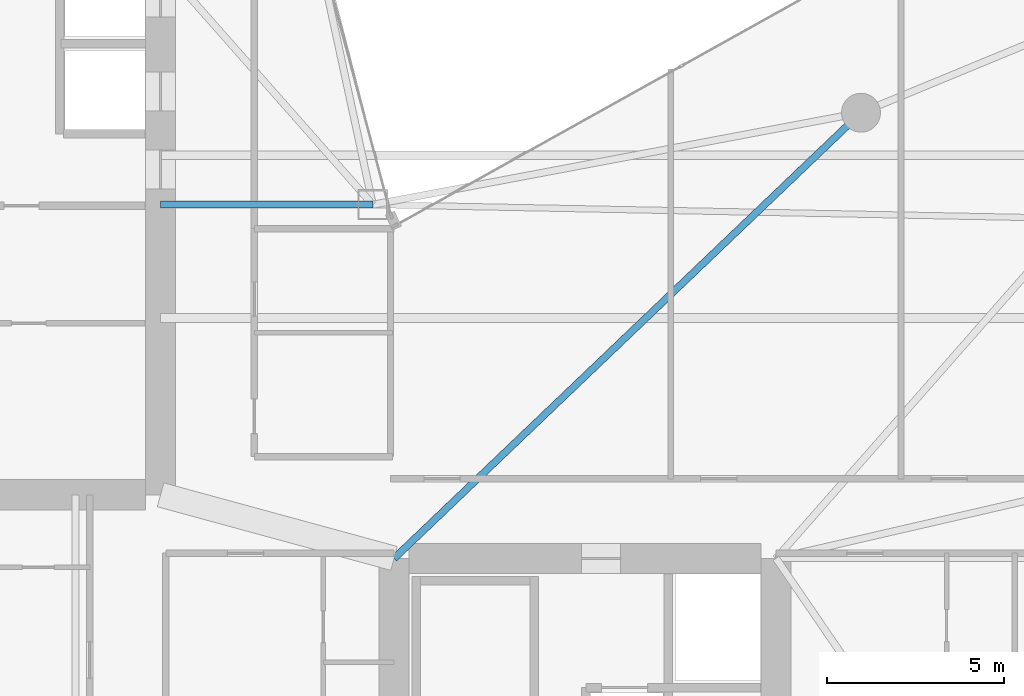
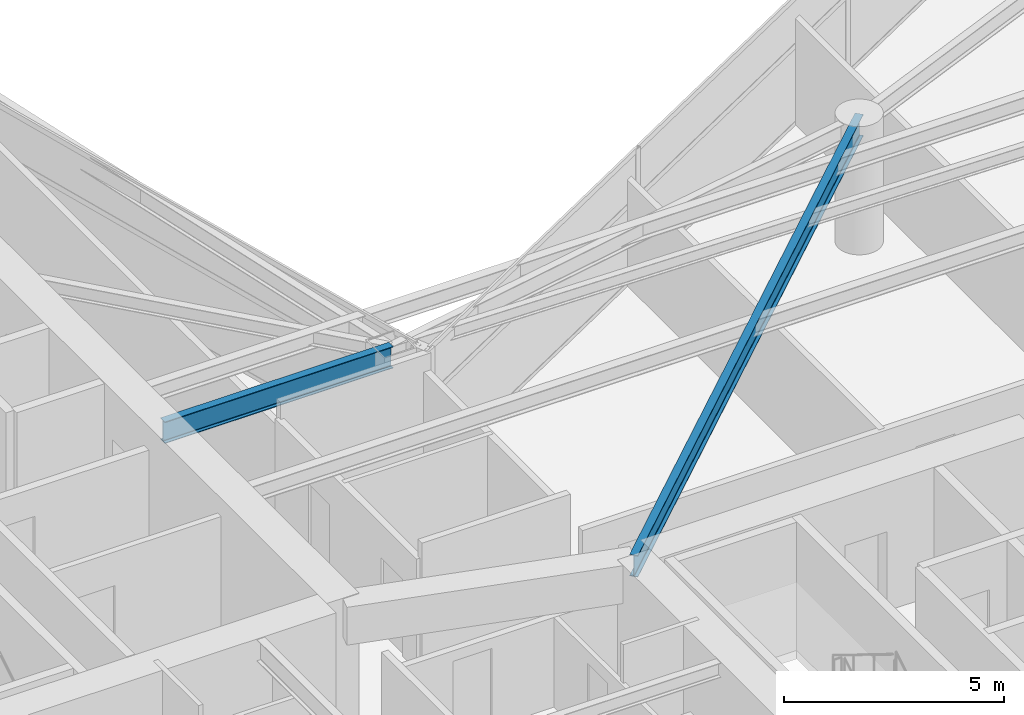
# One storey, part 9 of 28: 2 beams.
"""IFC4 building model written with IfcOpenShell, lengths in metres."""

from ifc_helpers import new_model, si_unit, direction, frame, origin, origin_2d, place, context, subcontext, project, spatial, i_section, extrude, material, material_profile, profile_set, type_object, element, save


model = new_model("IFC4")

# Units and contexts
model_context = context("Model", 3, precision=1e-05, world=origin(), true_north=direction((0.0, 1.0)))
body_context = subcontext(model_context, "Body", "Model", "MODEL_VIEW")
ifc_project = project(units=[si_unit("LENGTHUNIT", "METRE"), si_unit("AREAUNIT", "SQUARE_METRE"), si_unit("VOLUMEUNIT", "CUBIC_METRE"), si_unit("PLANEANGLEUNIT", "RADIAN"), si_unit("MASSUNIT", "GRAM", prefix="KILO")], contexts=[model_context])

# Site, building, storey
site_placement = place(None, origin())
site = spatial("IfcSite", under=ifc_project, at=site_placement, CompositionType="ELEMENT")
building_placement = place(site_placement, origin())
building = spatial("IfcBuilding", under=site, at=building_placement, Name="Calvorn Quay Hotel", CompositionType="ELEMENT")
storey_placement = place(building_placement, frame((0.0, 0.0, 159.89990234375)))
storey = spatial("IfcBuildingStorey", under=building, at=storey_placement, Name="L39", CompositionType="ELEMENT", Elevation=159.89990234375)

# Beams
ifc_material = material(Name="Steel Q355B", Category="steel")
ifc_material_profile = material_profile(ifc_material, i_section(OverallWidth=0.199951171875, OverallDepth=0.60009765625, WebThickness=0.010986328125, FlangeThickness=0.01708984375, FilletRadius=0.01806640625, at=origin_2d()), Name="HN600x200x11x17")
ifc_profile_set = profile_set([ifc_material_profile], Name="Steel Q355B")
beam_type = type_object("IfcBeamType", Name="BM-GIRD-TYP", PredefinedType="BEAM", material=ifc_profile_set)
beam_1_placement = place(storey_placement, frame((21.0, 25.0, 3.239990234375), z_axis=(-1.0, 0.0, 0.0), x_axis=(0.0, -1.0, 0.0)))
element("IfcBeam", 1, at=beam_1_placement, inside=storey, type_object=beam_type, Name="Beam BG-L39-W7", PredefinedType="BEAM", context=body_context, shape_type="SweptSolid", body=[
    extrude(i_section(OverallWidth=0.199951171875, OverallDepth=0.60009765625, WebThickness=0.010986328125, FlangeThickness=0.01708984375, FilletRadius=0.01806640625, at=origin_2d()), origin(), (0.0, 0.0, 1.0), 6.0),
])
beam_2_placement = place(storey_placement, frame((21.60009765625, 15.0, 3.239990234375), z_axis=(0.723351595578, 0.690479883252, 0.0), x_axis=(-0.690479883252, 0.723351595578, 0.0)))
element("IfcBeam", 2, at=beam_2_placement, inside=storey, type_object=beam_type, Name="Beam BG-L39-E4", PredefinedType="BEAM", context=body_context, shape_type="SweptSolid", body=[
    extrude(i_section(OverallWidth=0.199951171875, OverallDepth=0.60009765625, WebThickness=0.010986328125, FlangeThickness=0.01708984375, FilletRadius=0.01806640625, at=origin_2d()), origin(), (0.0, 0.0, 1.0), 18.248291015625),
])

save(model, "model.ifc")
